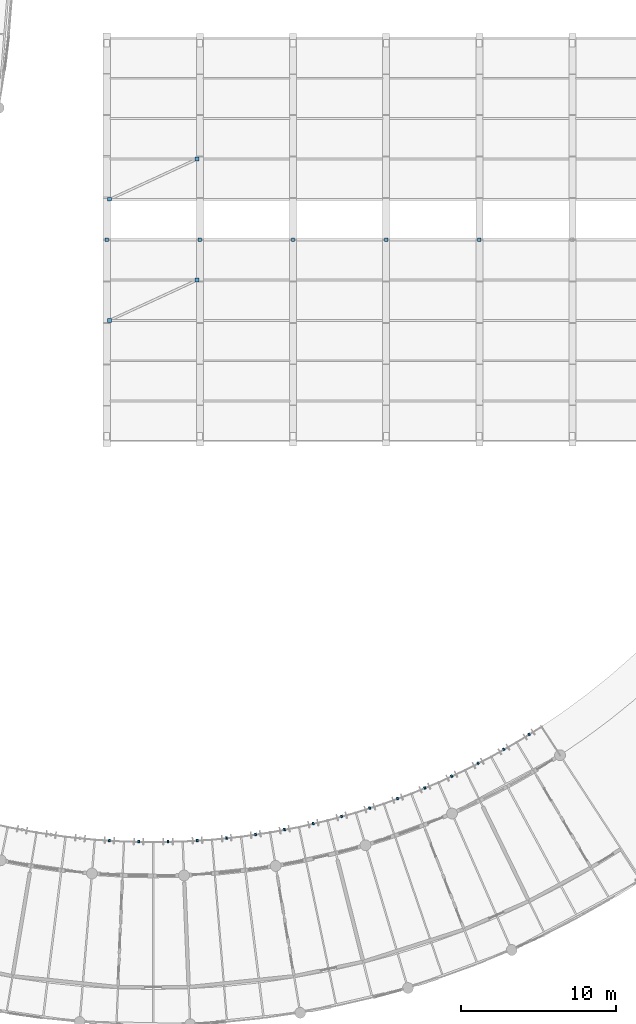
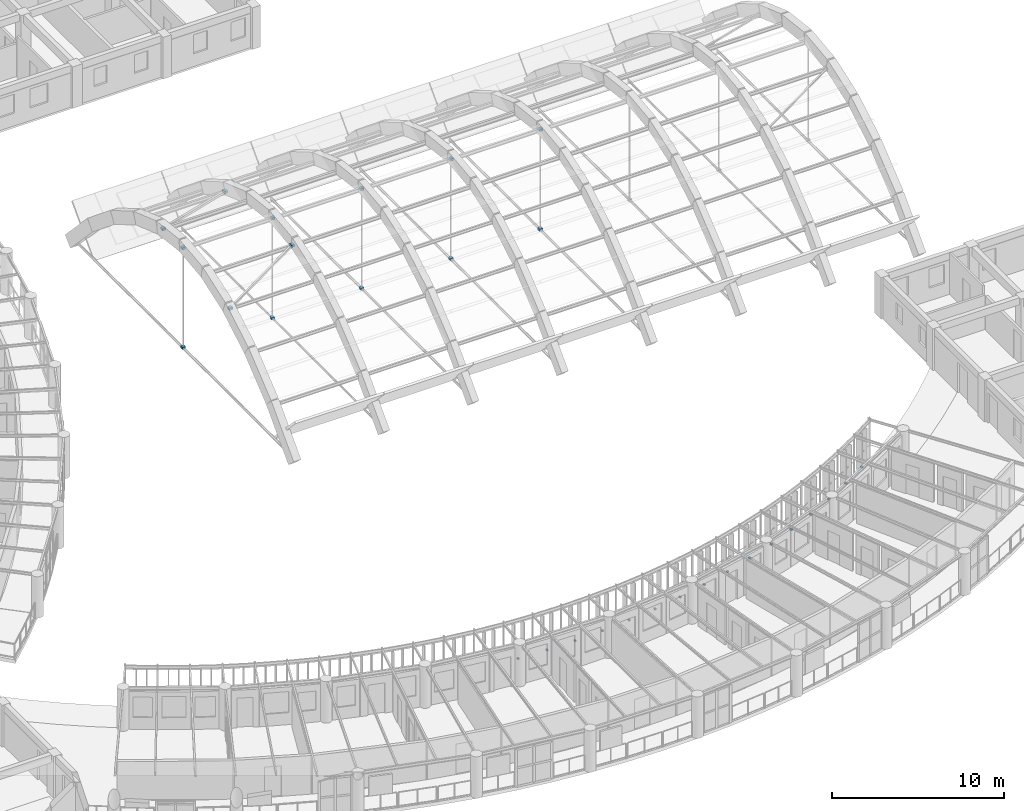
# One storey, part 104 of 123: 30 discrete accessories.
"""IFC4 building model written with IfcOpenShell, lengths in metres."""

from ifc_helpers import new_model, si_unit, direction, frame, origin, origin_2d, place, context, subcontext, project, spatial, rectangle, extrude, material, type_object, element, save


model = new_model("IFC4")

# Units and contexts
model_context = context("Model", 3, precision=1e-05, world=origin(), true_north=direction((0.0, 1.0)))
body_context = subcontext(model_context, "Body", "Model", "MODEL_VIEW")
ifc_project = project(units=[si_unit("LENGTHUNIT", "METRE"), si_unit("AREAUNIT", "SQUARE_METRE"), si_unit("VOLUMEUNIT", "CUBIC_METRE"), si_unit("PLANEANGLEUNIT", "RADIAN"), si_unit("MASSUNIT", "GRAM", prefix="KILO"), si_unit("POWERUNIT", "WATT"), si_unit("THERMODYNAMICTEMPERATUREUNIT", "KELVIN")], contexts=[model_context])

# Site, building, storey
site_placement = place(None, origin())
site = spatial("IfcSite", under=ifc_project, at=site_placement, CompositionType="ELEMENT")
building_placement = place(site_placement, origin())
building = spatial("IfcBuilding", under=site, at=building_placement, Name="Ruvembo Vaulted Housing Court", CompositionType="ELEMENT")
storey_placement = place(building_placement, frame((0.0, 0.0, 7.699951171875)))
storey = spatial("IfcBuildingStorey", under=building, at=storey_placement, Name="L02", CompositionType="ELEMENT", Elevation=7.699951171875)

# Discrete accessories
ifc_material_1 = material(Name="Stainless Steel Grade 316", Category="steel")
discrete_accessory_type_1 = type_object("IfcDiscreteAccessoryType", Name="ACC-BRACKET-SS", PredefinedType="BRACKET", material=ifc_material_1)
for number, where, z_axis, x_axis, name in (
    (1, (66.168212890625, 16.29736328125, 0.030029296875), (0.0, 0.0, 1.0), (-0.061832453863, -0.998086543166, 0.0), "Stainless Louvre Rail Bracket #136"),
    (2, (68.055419921875, 16.219482421875, 0.030029296875), (0.0, 0.0, 1.0), (-0.020645778066, -0.999786853208, 0.0), "Stainless Louvre Rail Bracket #137"),
    (3, (69.944580078125, 16.219482421875, 0.030029296875), (0.0, 0.0, 1.0), (0.020645778066, -0.999786853208, 0.0), "Stainless Louvre Rail Bracket #138"),
    (4, (71.831787109375, 16.29736328125, 0.030029296875), (0.0, 0.0, 1.0), (0.061832453863, -0.998086543166, 0.0), "Stainless Louvre Rail Bracket #139"),
    (5, (73.714111328125, 16.452880859375, 0.030029296875), (0.0, 0.0, 1.0), (0.102948783072, -0.994686658232, 0.0), "Stainless Louvre Rail Bracket #140"),
    (6, (75.58837890625, 16.686279296875, 0.030029296875), (0.0, 0.0, 1.0), (0.143872610257, -0.989596216655, 0.0), "Stainless Louvre Rail Bracket #141"),
    (7, (77.45166015625, 16.996337890625, 0.030029296875), (0.0, 0.0, 1.0), (0.184568910756, -0.982819575091, 0.0), "Stainless Louvre Rail Bracket #142"),
    (8, (79.300537109375, 17.38330078125, 0.030029296875), (0.0, 0.0, 1.0), (0.224951054344, -0.974370064785, 0.0), "Stainless Louvre Rail Bracket #143"),
    (9, (81.1318359375, 17.84619140625, 0.030029296875), (0.0, 0.0, 1.0), (0.264983965035, -0.96425281865, 0.0), "Stainless Louvre Rail Bracket #144"),
    (10, (82.9423828125, 18.384033203125, 0.030029296875), (0.0, 0.0, 1.0), (0.304448708958, -0.952528731122, 0.0), "Stainless Louvre Rail Bracket #145"),
    (11, (84.7294921875, 18.99609375, 0.030029296875), (0.0, 0.0, 1.0), (0.343512177766, -0.939148222447, 0.0), "Stainless Louvre Rail Bracket #146"),
    (12, (86.489501953125, 19.681396484375, 0.030029296875), (0.0, 0.0, 1.0), (0.381957701122, -0.924179806398, 0.0), "Stainless Louvre Rail Bracket #147"),
    (13, (88.219970703125, 20.438720703125, 0.030029296875), (0.0, 0.0, 1.0), (0.419737248448, -0.90764565898, 0.0), "Stainless Louvre Rail Bracket #148"),
    (14, (89.917724609375, 21.266845703125, 0.030029296875), (0.0, 0.0, 1.0), (0.456849537333, -0.889543984432, 0.0), "Stainless Louvre Rail Bracket #149"),
    (15, (91.579833984375, 22.1640625, 0.030029296875), (0.0, 0.0, 1.0), (0.493106983922, -0.86996867898, 0.0), "Stainless Louvre Rail Bracket #150"),
    (16, (93.20361328125, 23.129150390625, 0.030029296875), (0.0, 0.0, 1.0), (0.528556868381, -0.848897895443, 0.0), "Stainless Louvre Rail Bracket #151"),
):
    element("IfcDiscreteAccessory", number, at=place(storey_placement, frame(where, z_axis=z_axis, x_axis=x_axis)), inside=storey, type_object=discrete_accessory_type_1, Name=name, PredefinedType="BRACKET", context=body_context, shape_type="SweptSolid", body=[
        extrude(rectangle(XDim=0.159912109375, YDim=0.1201171875, at=origin_2d()), origin(), (0.0, 0.0, 1.0), 0.10009765625),
    ])
ifc_material_2 = material(Name="Steel S355J2", Category="steel")
discrete_accessory_type_2 = type_object("IfcDiscreteAccessoryType", Name="ACC-STL-NODE", PredefinedType="BRACKET", material=ifc_material_2)
for number, where, z_axis, x_axis, name in (
    (17, (66.0, 55.0, -1.2998046875), (0.0, 0.0, 1.0), (1.0, 0.0, 0.0), "Vault Hanger Clevis Connector VH-01-BOT"),
    (18, (66.0, 55.0, 5.7802734375), (0.0, 0.0, 1.0), (1.0, 0.0, 0.0), "Vault Hanger Clevis Connector VH-01-TOP"),
    (19, (72.0, 55.0, -1.2998046875), (0.0, 0.0, 1.0), (1.0, 0.0, 0.0), "Vault Hanger Clevis Connector VH-02-BOT"),
    (20, (72.0, 55.0, 5.7802734375), (0.0, 0.0, 1.0), (1.0, 0.0, 0.0), "Vault Hanger Clevis Connector VH-02-TOP"),
    (21, (78.0, 55.0, -1.2998046875), (0.0, 0.0, 1.0), (1.0, 0.0, 0.0), "Vault Hanger Clevis Connector VH-03-BOT"),
    (22, (78.0, 55.0, 5.7802734375), (0.0, 0.0, 1.0), (1.0, 0.0, 0.0), "Vault Hanger Clevis Connector VH-03-TOP"),
    (23, (84.0, 55.0, -1.2998046875), (0.0, 0.0, 1.0), (1.0, 0.0, 0.0), "Vault Hanger Clevis Connector VH-04-BOT"),
    (24, (84.0, 55.0, 5.7802734375), (0.0, 0.0, 1.0), (1.0, 0.0, 0.0), "Vault Hanger Clevis Connector VH-04-TOP"),
    (25, (90.0, 55.0, -1.2998046875), (0.0, 0.0, 1.0), (1.0, 0.0, 0.0), "Vault Hanger Clevis Connector VH-05-BOT"),
    (26, (90.0, 55.0, 5.7802734375), (0.0, 0.0, 1.0), (1.0, 0.0, 0.0), "Vault Hanger Clevis Connector VH-05-TOP"),
):
    element("IfcDiscreteAccessory", number, at=place(storey_placement, frame(where, z_axis=z_axis, x_axis=x_axis)), inside=storey, type_object=discrete_accessory_type_2, Name=name, PredefinedType="BRACKET", context=body_context, shape_type="SweptSolid", body=[
        extrude(rectangle(XDim=0.219970703125, YDim=0.219970703125, at=origin_2d()), origin(), (0.0, 0.0, 1.0), 0.159912109375),
    ])
for number, where, z_axis, x_axis, name in (
    (27, (66.179931640625, 49.800048828125, 4.583984375), (0.0, 0.0, 1.0), (1.0, 0.0, 0.0), "Vault Wind Brace End Gusset Connector B1.3A"),
    (28, (71.820068359375, 52.39990234375, 5.49609375), (0.0, 0.0, 1.0), (1.0, 0.0, 0.0), "Vault Wind Brace End Gusset Connector B1.3B"),
    (29, (66.179931640625, 57.60009765625, 5.49609375), (0.0, 0.0, 1.0), (1.0, 0.0, 0.0), "Vault Wind Brace End Gusset Connector B1.6A"),
    (30, (71.820068359375, 60.199951171875, 4.583984375), (0.0, 0.0, 1.0), (1.0, 0.0, 0.0), "Vault Wind Brace End Gusset Connector B1.6B"),
):
    element("IfcDiscreteAccessory", number, at=place(storey_placement, frame(where, z_axis=z_axis, x_axis=x_axis)), inside=storey, type_object=discrete_accessory_type_2, Name=name, PredefinedType="BRACKET", context=body_context, shape_type="SweptSolid", body=[
        extrude(rectangle(XDim=0.239990234375, YDim=0.239990234375, at=origin_2d()), origin(), (0.0, 0.0, 1.0), 0.159912109375),
    ])

save(model, "model.ifc")
